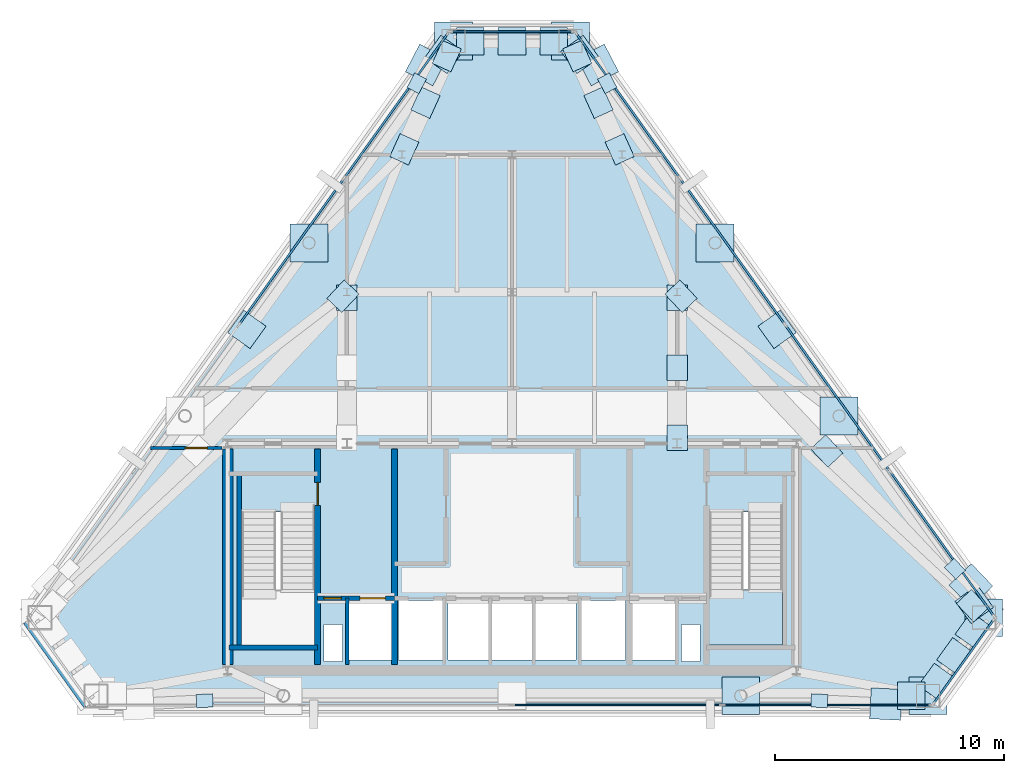
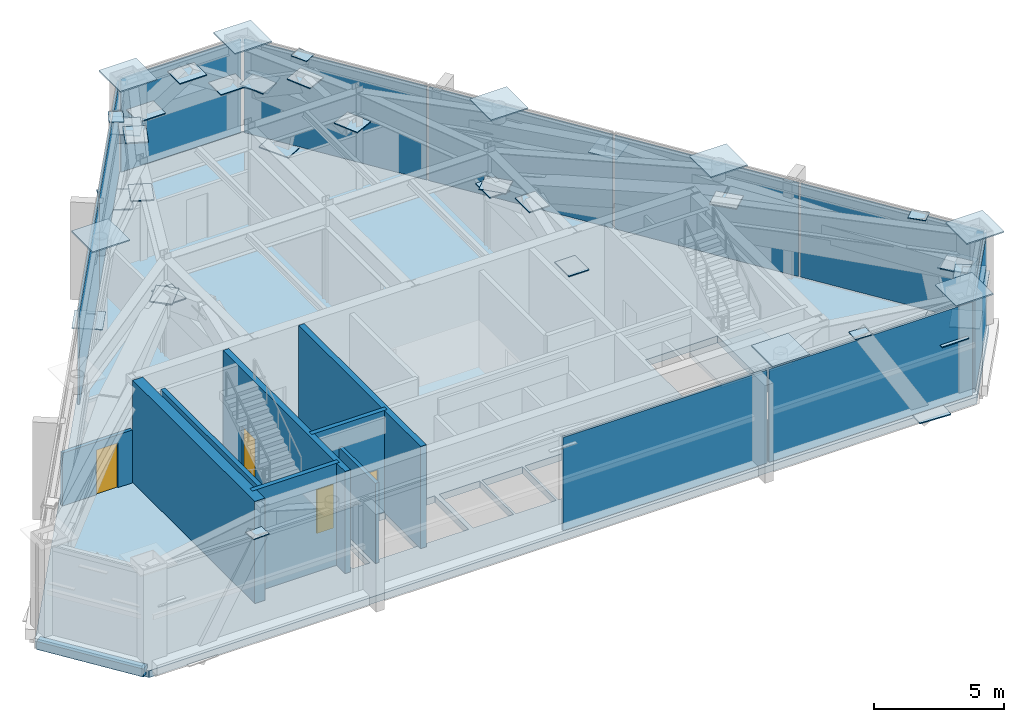
# One storey, part 5 of 9: 53 plates, 9 walls, 4 doors, 2 slabs, 4 openings, 6 elements without a shape of their own.
"""IFC4 building model written with IfcOpenShell, lengths in metres."""

from ifc_helpers import new_model, si_unit, direction, frame, frame_2d, origin, origin_2d, place, context, subcontext, project, spatial, polyline, rectangle, outline, extrude, source, transform, mapped, material, layer, layer_set, type_object, type_shapes, element, fill, aggregate, save


model = new_model("IFC4")

# Units and contexts
model_context = context("Model", 3, precision=1e-05, world=origin(), true_north=direction((0.0, 1.0)))
body_context = subcontext(model_context, "Body", "Model", "MODEL_VIEW")
ifc_project = project(units=[si_unit("LENGTHUNIT", "METRE"), si_unit("AREAUNIT", "SQUARE_METRE"), si_unit("VOLUMEUNIT", "CUBIC_METRE"), si_unit("PLANEANGLEUNIT", "RADIAN"), si_unit("MASSUNIT", "GRAM", prefix="KILO")], contexts=[model_context])

# Site, building, storey
site_placement = place(None, origin())
site = spatial("IfcSite", under=ifc_project, at=site_placement, CompositionType="ELEMENT")
building_placement = place(site_placement, origin())
building = spatial("IfcBuilding", under=site, at=building_placement, Name="Talgorran Terracotta Tower", CompositionType="ELEMENT")
storey_placement = place(building_placement, frame((0.0, 0.0, 244.199951171875)))
storey = spatial("IfcBuildingStorey", under=building, at=storey_placement, Name="L64", CompositionType="ELEMENT", Elevation=244.199951171875)

# Plates
ifc_material_1 = material(Name="Steel Grade 350 (350L0)", Category="steel")
ifc_layer_1 = layer(ifc_material_1, 0.031982421875, Name="PL_CAP_MN07")
ifc_layer_set_1 = layer_set([ifc_layer_1], Name="Steel Grade 350 (350L0)")
plate_type_1 = type_object("IfcPlateType", Name="PL_CAP_MN07", PredefinedType="USERDEFINED", material=ifc_layer_set_1)
for number, where, z_axis, x_axis, name in (
    (1, (-13.404296875, -15.42333984375, 4.51904296875), (0.0, 0.0, 1.0), (0.998763127564, 0.049721373869, 0.0), "L64 Diagonal Frame End Cap SWF Top"),
    (2, (13.404296875, -15.42333984375, 4.51904296875), (0.0, 0.0, 1.0), (-0.998763127564, 0.049721373869, 0.0), "L64 Diagonal Frame End Cap SEF Top"),
    (3, (19.318115234375, -9.6689453125, 4.51904296875), (0.0, 0.0, 1.0), (-0.691134732122, 0.722725938412, 0.0), "L64 Diagonal Frame End Cap NEL Top"),
    (4, (4.15283203125, 11.509033203125, 4.51904296875), (0.0, 0.0, 1.0), (0.461748613235, -0.887010833178, 0.0), "L64 Diagonal Frame End Cap NEU Top"),
    (5, (-4.15283203125, 11.509033203125, 4.51904296875), (0.0, 0.0, 1.0), (-0.461748613235, -0.887010833178, 0.0), "L64 Diagonal Frame End Cap NWU Top"),
):
    element("IfcPlate", number, at=place(storey_placement, frame(where, z_axis=z_axis, x_axis=x_axis)), inside=storey, type_object=plate_type_1, Name=name, ObjectType="CAP PLATE", PredefinedType="USERDEFINED", context=body_context, shape_type="SweptSolid", body=[
        extrude(rectangle(XDim=0.719970703125, YDim=0.580078125, at=origin_2d()), origin(), (0.0, 0.0, 1.0), 0.031982421875),
    ])
ifc_layer_2 = layer(ifc_material_1, 0.044921875, Name="PL_GUS_MN08")
ifc_layer_set_2 = layer_set([ifc_layer_2], Name="Steel Grade 350 (350L0)")
plate_type_2 = type_object("IfcPlateType", Name="PL_GUS_MN08", PredefinedType="SHEET", material=ifc_layer_set_2)
for number, where, z_axis, x_axis, name in (
    (6, (-7.199951171875, 2.14990234375, 2.897705078125), (0.0, 0.0, 1.0), (0.0, 1.0, 0.0), "L64 Outrigger Gusset OR1-B"),
    (7, (7.199951171875, -3.949951171875, 2.897705078125), (0.0, 0.0, 1.0), (0.0, 1.0, 0.0), "L64 Outrigger Gusset OR2-A"),
    (8, (7.199951171875, -0.89990234375, 4.0625), (0.0, 0.0, 1.0), (0.0, 1.0, 0.0), "L64 Outrigger Gusset OR2-M"),
    (9, (7.199951171875, 2.14990234375, 2.897705078125), (0.0, 0.0, 1.0), (0.0, 1.0, 0.0), "L64 Outrigger Gusset OR2-B"),
    (10, (-7.371337890625, 2.218017578125, 2.897705078125), (0.0, 0.0, 1.0), (-0.685691322174, -0.727892444455, 0.0), "L64 Outrigger Gusset OR3-A"),
    (11, (7.371337890625, 2.218017578125, 2.897705078125), (0.0, 0.0, 1.0), (0.685691322174, -0.727892444455, 0.0), "L64 Outrigger Gusset OR4-A"),
    (12, (13.728515625, -4.530029296875, 4.0625), (0.0, 0.0, 1.0), (0.685691322174, -0.727892444455, 0.0), "L64 Outrigger Gusset OR4-M"),
    (13, (20.085205078125, -11.27783203125, 2.897705078125), (0.0, 0.0, 1.0), (0.685691322174, -0.727892444455, 0.0), "L64 Outrigger Gusset OR4-B"),
    (14, (-4.6962890625, 8.62744140625, 2.897705078125), (0.0, 0.0, 1.0), (0.414216731225, 0.910178279005, 0.0), "L64 Outrigger Gusset OR5-A"),
    (15, (-3.77099609375, 10.660400390625, 4.0625), (0.0, 0.0, 1.0), (0.414216731225, 0.910178279005, 0.0), "L64 Outrigger Gusset OR5-M"),
    (16, (-2.845703125, 12.693359375, 2.897705078125), (0.0, 0.0, 1.0), (0.414216731225, 0.910178279005, 0.0), "L64 Outrigger Gusset OR5-B"),
    (17, (4.6962890625, 8.62744140625, 2.897705078125), (0.0, 0.0, 1.0), (-0.414216731225, 0.910178279005, 0.0), "L64 Outrigger Gusset OR6-A"),
    (18, (3.77099609375, 10.660400390625, 4.0625), (0.0, 0.0, 1.0), (-0.414216731225, 0.910178279005, 0.0), "L64 Outrigger Gusset OR6-M"),
    (19, (2.845703125, 12.693359375, 2.897705078125), (0.0, 0.0, 1.0), (-0.414216731225, 0.910178279005, 0.0), "L64 Outrigger Gusset OR6-B"),
):
    element("IfcPlate", number, at=place(storey_placement, frame(where, z_axis=z_axis, x_axis=x_axis)), inside=storey, type_object=plate_type_2, Name=name, PredefinedType="SHEET", context=body_context, shape_type="SweptSolid", body=[
        extrude(rectangle(XDim=1.10009765625, YDim=0.89990234375, at=origin_2d()), origin(), (0.0, 0.0, 1.0), 0.044921875),
    ])
ifc_layer_3 = layer(ifc_material_1, 0.06005859375, Name="PL_NODE_MN01")
ifc_layer_set_3 = layer_set([ifc_layer_3], Name="Steel Grade 350 (350L0)")
plate_type_3 = type_object("IfcPlateType", Name="PL_NODE_MN01", PredefinedType="USERDEFINED", material=ifc_layer_set_3)
for number, where, z_axis, x_axis, name in (
    (20, (18.13720703125, -15.207763671875, 4.784912109375), (0.0, 0.0, 1.0), (1.0, 0.0, 0.0), "L64 Mega-Column Cap Plate MC3"),
    (21, (20.5791015625, -11.802001953125, 4.784912109375), (0.0, 0.0, 1.0), (1.0, 0.0, 0.0), "L64 Mega-Column Cap Plate MC4"),
    (22, (2.547607421875, 13.3486328125, 4.784912109375), (0.0, 0.0, 1.0), (1.0, 0.0, 0.0), "L64 Mega-Column Cap Plate MC5"),
    (23, (-2.547607421875, 13.3486328125, 4.784912109375), (0.0, 0.0, 1.0), (1.0, 0.0, 0.0), "L64 Mega-Column Cap Plate MC6"),
    (24, (9.9755859375, -15.207763671875, 4.784912109375), (0.0, 0.0, 1.0), (1.0, 0.0, 0.0), "L64 Facet Column Cap Plate FC2"),
    (25, (14.26806640625, -2.999267578125, 4.784912109375), (0.0, 0.0, 1.0), (1.0, 0.0, 0.0), "L64 Facet Column Cap Plate FC3"),
    (26, (8.8583984375, 4.5458984375, 4.784912109375), (0.0, 0.0, 1.0), (1.0, 0.0, 0.0), "L64 Facet Column Cap Plate FC4"),
    (27, (-8.8583984375, 4.5458984375, 4.784912109375), (0.0, 0.0, 1.0), (1.0, 0.0, 0.0), "L64 Facet Column Cap Plate FC5"),
):
    element("IfcPlate", number, at=place(storey_placement, frame(where, z_axis=z_axis, x_axis=x_axis)), inside=storey, type_object=plate_type_3, Name=name, ObjectType="NODE PLATE", PredefinedType="USERDEFINED", context=body_context, shape_type="SweptSolid", body=[
        extrude(rectangle(XDim=1.64990234375, YDim=1.64990234375, at=origin_2d()), origin(), (0.0, 0.0, 1.0), 0.06005859375),
    ])
ifc_layer_4 = layer(ifc_material_1, 0.050048828125, Name="PL_NODE_MN03")
ifc_layer_set_4 = layer_set([ifc_layer_4], Name="Steel Grade 350 (350L0)")
plate_type_4 = type_object("IfcPlateType", Name="PL_NODE_MN03", PredefinedType="USERDEFINED", material=ifc_layer_set_4)
for number, where, z_axis, x_axis, name in (
    (28, (16.306640625, -15.56787109375, -0.01513671875), (0.0, 0.0, 1.0), (-0.998763127564, 0.049721373869, 0.0), "L64 Diagonal Frame End Cap SEF Bot"),
    (29, (20.01611328125, -10.39892578125, -0.01513671875), (0.0, 0.0, 1.0), (-0.691134732122, 0.722725938412, 0.0), "L64 Diagonal Frame End Cap NEL Bot"),
    (30, (3.73828125, 12.305419921875, -0.01513671875), (0.0, 0.0, 1.0), (0.461748613235, -0.887010833178, 0.0), "L64 Diagonal Frame End Cap NEU Bot"),
    (31, (-3.73828125, 12.305419921875, -0.01513671875), (0.0, 0.0, 1.0), (-0.461748613235, -0.887010833178, 0.0), "L64 Diagonal Frame End Cap NWU Bot"),
):
    element("IfcPlate", number, at=place(storey_placement, frame(where, z_axis=z_axis, x_axis=x_axis)), inside=storey, type_object=plate_type_4, Name=name, ObjectType="NODE PLATE", PredefinedType="USERDEFINED", context=body_context, shape_type="SweptSolid", body=[
        extrude(rectangle(XDim=1.35009765625, YDim=1.35009765625, at=origin_2d()), origin(), (0.0, 0.0, 1.0), 0.050048828125),
    ])
ifc_layer_5 = layer(ifc_material_1, 0.044921875, Name="PL_NODE_MN04")
ifc_layer_set_5 = layer_set([ifc_layer_5], Name="Steel Grade 350 (350L0)")
plate_type_5 = type_object("IfcPlateType", Name="PL_NODE_MN04", PredefinedType="USERDEFINED", material=ifc_layer_set_5)
for number, where, z_axis, x_axis, name in (
    (32, (17.417236328125, -15.207763671875, 2.897705078125), (0.0, 0.0, 1.0), (1.0, 0.0, 0.0), "L64 Belt Node Plate BT2-B"),
    (33, (18.556640625, -14.622802734375, 2.897705078125), (0.0, 0.0, 1.0), (0.582690479669, 0.812694164433, 0.0), "L64 Belt Node Plate BT3-A"),
    (34, (19.358154296875, -13.5048828125, 4.0625), (0.0, 0.0, 1.0), (0.582690479669, 0.812694164433, 0.0), "L64 Belt Node Plate BT3-M"),
    (35, (20.159423828125, -12.38720703125, 2.897705078125), (0.0, 0.0, 1.0), (0.582690479669, 0.812694164433, 0.0), "L64 Belt Node Plate BT3-B"),
    (36, (20.159423828125, -11.216796875, 2.897705078125), (0.0, 0.0, 1.0), (-0.582690479669, 0.812694164433, 0.0), "L64 Belt Node Plate BT4-A"),
    (37, (11.563232421875, 0.773193359375, 4.0625), (0.0, 0.0, 1.0), (-0.582690479669, 0.812694164433, 0.0), "L64 Belt Node Plate BT4-M"),
    (38, (2.967041015625, 12.763427734375, 2.897705078125), (0.0, 0.0, 1.0), (-0.582690479669, 0.812694164433, 0.0), "L64 Belt Node Plate BT4-B"),
    (39, (1.827392578125, 13.3486328125, 2.897705078125), (0.0, 0.0, 1.0), (-1.0, 0.0, 0.0), "L64 Belt Node Plate BT5-A"),
    (40, (0.0, 13.3486328125, 4.0625), (0.0, 0.0, 1.0), (-1.0, 0.0, 0.0), "L64 Belt Node Plate BT5-M"),
    (41, (-1.827392578125, 13.3486328125, 2.897705078125), (0.0, 0.0, 1.0), (-1.0, 0.0, 0.0), "L64 Belt Node Plate BT5-B"),
    (42, (-2.967041015625, 12.763427734375, 2.897705078125), (0.0, 0.0, 1.0), (-0.582690479669, -0.812694164433, 0.0), "L64 Belt Node Plate BT6-A"),
    (43, (-11.563232421875, 0.773193359375, 4.0625), (0.0, 0.0, 1.0), (-0.582690479669, -0.812694164433, 0.0), "L64 Belt Node Plate BT6-M"),
):
    element("IfcPlate", number, at=place(storey_placement, frame(where, z_axis=z_axis, x_axis=x_axis)), inside=storey, type_object=plate_type_5, Name=name, ObjectType="NODE PLATE", PredefinedType="USERDEFINED", context=body_context, shape_type="SweptSolid", body=[
        extrude(rectangle(XDim=1.199951171875, YDim=1.199951171875, at=origin_2d()), origin(), (0.0, 0.0, 1.0), 0.044921875),
    ])

# Stair, slab
ifc_material_2 = material(Name="Concrete C40/50", Category="concrete")
stair_type = type_object("IfcStairType", Name="ST_FIRE_SCISSOR", PredefinedType="HALF_TURN_STAIR", material=ifc_material_2)
stair_placement = place(storey_placement, origin())
stair = element("IfcStair", 44, at=stair_placement, inside=storey, type_object=stair_type, Name="L64 East Protected Fire Stair ST-02", PredefinedType="HALF_TURN_STAIR")
ifc_layer_6 = layer(ifc_material_2, 0.199951171875, Name="SL_LANDING_200")
ifc_layer_set_6 = layer_set([ifc_layer_6], Name="Concrete C40/50")
slab_type_1 = type_object("IfcSlabType", Name="SL_LANDING_200", PredefinedType="LANDING", material=ifc_layer_set_6)
slab_1_placement = place(storey_placement, frame((0.0, 0.0, 2.199951171875)))
slab_1 = element("IfcSlab", 45, at=slab_1_placement, type_object=slab_type_1, Name="ST-02 landing 1", PredefinedType="LANDING", context=body_context, shape_type="SweptSolid", body=[
    extrude(outline(polyline([(8.60009765625, -10.56005859375), (8.60009765625, -13.0), (11.800048828125, -13.0), (11.800048828125, -10.56005859375), (8.60009765625, -10.56005859375)])), origin(), (0.0, 0.0, 1.0), 0.2001953125),
])
aggregate(stair, [slab_1])

# Slab
ifc_material_3 = material(Name="Concrete C50/60", Category="concrete")
ifc_layer_7 = layer(ifc_material_3, 0.320068359375, Name="SL_PLANT_320")
ifc_layer_set_7 = layer_set([ifc_layer_7], Name="Concrete C50/60")
slab_type_2 = type_object("IfcSlabType", Name="SL_PLANT_320", PredefinedType="FLOOR", material=ifc_layer_set_7)
slab_2_placement = place(storey_placement, frame((0.0, 0.0, -0.320068359375)))
element("IfcSlab", 46, at=slab_2_placement, inside=storey, type_object=slab_type_2, Name="Storey L64 Structural Floor Slab", PredefinedType="FLOOR", context=body_context, shape_type="SweptSolid", body=[
    extrude(outline(polyline([(-21.21875, -11.802001953125), (-18.404296875, -15.727783203125), (18.404296875, -15.727783203125), (21.21875, -11.802001953125), (2.814453125, 13.86865234375), (-2.814453125, 13.86865234375), (-21.21875, -11.802001953125)]), holes=[polyline([(-11.800048828125, -7.199951171875), (-11.800048828125, -13.0), (-8.60009765625, -13.0), (-8.60009765625, -7.199951171875), (-11.800048828125, -7.199951171875)]), polyline([(8.60009765625, -7.199951171875), (8.60009765625, -13.0), (11.800048828125, -13.0), (11.800048828125, -7.199951171875), (8.60009765625, -7.199951171875)]), polyline([(-7.10009765625, -13.64990234375), (-5.199951171875, -13.64990234375), (-5.199951171875, -11.050048828125), (-7.10009765625, -11.050048828125), (-7.10009765625, -13.64990234375)]), polyline([(5.199951171875, -13.64990234375), (7.10009765625, -13.64990234375), (7.10009765625, -11.050048828125), (5.199951171875, -11.050048828125), (5.199951171875, -13.64990234375)]), polyline([(3.0, -13.64990234375), (4.949951171875, -13.64990234375), (4.949951171875, -11.050048828125), (3.0, -11.050048828125), (3.0, -13.64990234375)]), polyline([(-4.949951171875, -13.64990234375), (-3.0, -13.64990234375), (-3.0, -11.050048828125), (-4.949951171875, -11.050048828125), (-4.949951171875, -13.64990234375)]), polyline([(-2.800048828125, -13.64990234375), (-1.0, -13.64990234375), (-1.0, -11.050048828125), (-2.800048828125, -11.050048828125), (-2.800048828125, -13.64990234375)]), polyline([(-0.89990234375, -13.64990234375), (0.89990234375, -13.64990234375), (0.89990234375, -11.050048828125), (-0.89990234375, -11.050048828125), (-0.89990234375, -13.64990234375)]), polyline([(1.0, -13.64990234375), (2.800048828125, -13.64990234375), (2.800048828125, -11.050048828125), (1.0, -11.050048828125), (1.0, -13.64990234375)]), polyline([(-8.199951171875, -13.699951171875), (-7.39990234375, -13.699951171875), (-7.39990234375, -12.10009765625), (-8.199951171875, -12.10009765625), (-8.199951171875, -13.699951171875)]), polyline([(7.39990234375, -13.699951171875), (8.199951171875, -13.699951171875), (8.199951171875, -12.10009765625), (7.39990234375, -12.10009765625), (7.39990234375, -13.699951171875)])]), origin(), (0.0, 0.0, 1.0), 0.320068359375),
])

# Curtain wall, plate
ifc_material_4 = material(Name="Anodised Aluminium Louvre", Category="aluminium")
ifc_layer_8 = layer(ifc_material_4, 0.25, Name="CW_SYS4_LOUVRE")
ifc_layer_set_8 = layer_set([ifc_layer_8], Name="Anodised Aluminium Louvre")
curtain_wall_type = type_object("IfcCurtainWallType", Name="CW_SYS4_LOUVRE", PredefinedType="NOTDEFINED", material=ifc_layer_set_8)
curtain_wall_1_placement = place(storey_placement, origin())
curtain_wall_1 = element("IfcCurtainWall", 47, at=curtain_wall_1_placement, inside=storey, type_object=curtain_wall_type, Name="CW-L64-F2", PredefinedType="NOTDEFINED")
ifc_material_5 = material(Name="Anodised Aluminium Louvre Panel", Category="aluminium")
ifc_layer_9 = layer(ifc_material_5, 0.0849609375, Name="PLT_LOUVRE_BLADE")
ifc_layer_set_9 = layer_set([ifc_layer_9], Name="Anodised Aluminium Louvre Panel")
plate_type_6 = type_object("IfcPlateType", Name="PLT_LOUVRE_BLADE", PredefinedType="CURTAIN_PANEL", material=ifc_layer_set_9)
shared_shape_1 = source(origin(), body_context, "Body", "SweptSolid", [
    extrude(rectangle(XDim=4.512939453125, YDim=0.0849609375, at=origin_2d()), origin(), (0.0, 0.0, 1.0), 4.375),
])
plate_1_placement = place(storey_placement, frame((19.706787109375, -13.704833984375, 0.0849609375), z_axis=(0.0, 0.0, 1.0), x_axis=(0.582661427396, 0.812714993724, 0.0)))
plate_1 = element("IfcPlate", 48, at=plate_1_placement, type_object=plate_type_6, Name="CW-L64-2 panel 1.1", PredefinedType="CURTAIN_PANEL", context=body_context, shape_type="MappedRepresentation", body=[
    mapped(shared_shape_1, transform((0.0, 0.0, 0.0), scale=1.0)),
])
aggregate(curtain_wall_1, [plate_1])

# Curtain wall, plates
curtain_wall_2_placement = place(storey_placement, origin())
curtain_wall_2 = element("IfcCurtainWall", 49, at=curtain_wall_2_placement, inside=storey, type_object=curtain_wall_type, Name="CW-L64-F1", PredefinedType="NOTDEFINED")
shared_shape_2 = source(origin(), body_context, "Body", "SweptSolid", [
    extrude(rectangle(XDim=9.043701171875, YDim=0.0849609375, at=origin_2d()), origin(), (0.0, 0.0, 1.0), 4.375),
])
plate_2_placement = place(storey_placement, frame((13.735595703125, -15.60791015625, 0.0849609375), z_axis=(0.0, 0.0, 1.0), x_axis=(1.0, 0.0, 0.0)))
plate_2 = element("IfcPlate", 50, at=plate_2_placement, type_object=plate_type_6, Name="CW-L64-1 panel 4.1", PredefinedType="CURTAIN_PANEL", context=body_context, shape_type="MappedRepresentation", body=[
    mapped(shared_shape_2, transform((0.0, 0.0, 0.0), scale=1.0)),
])
shared_shape_3 = source(origin(), body_context, "Body", "SweptSolid", [
    extrude(rectangle(XDim=9.086181640625, YDim=0.0849609375, at=origin_2d()), origin(), (0.0, 0.0, 1.0), 4.375),
])
plate_3_placement = place(storey_placement, frame((4.585693359375, -15.60791015625, 0.0849609375), z_axis=(0.0, 0.0, 1.0), x_axis=(1.0, 0.0, 0.0)))
plate_3 = element("IfcPlate", 51, at=plate_3_placement, type_object=plate_type_6, Name="CW-L64-1 panel 3.1", PredefinedType="CURTAIN_PANEL", context=body_context, shape_type="MappedRepresentation", body=[
    mapped(shared_shape_3, transform((0.0, 0.0, 0.0), scale=1.0)),
])
aggregate(curtain_wall_2, [plate_3, plate_2])

curtain_wall_3_placement = place(storey_placement, origin())
curtain_wall_3 = element("IfcCurtainWall", 52, at=curtain_wall_3_placement, inside=storey, type_object=curtain_wall_type, Name="CW-L64-F3", PredefinedType="NOTDEFINED")
shared_shape_4 = source(origin(), body_context, "Body", "SweptSolid", [
    extrude(rectangle(XDim=7.732177734375, YDim=0.0849609375, at=origin_2d()), origin(), (0.0, 0.0, 1.0), 4.375),
])
plate_4_placement = place(storey_placement, frame((18.76904296875, -8.5908203125, 0.0849609375), z_axis=(0.0, 0.0, 1.0), x_axis=(-0.582664703498, 0.812712644972, 0.0)))
plate_4 = element("IfcPlate", 53, at=plate_4_placement, type_object=plate_type_6, Name="CW-L64-3 panel 1.1", PredefinedType="CURTAIN_PANEL", context=body_context, shape_type="MappedRepresentation", body=[
    mapped(shared_shape_4, transform((0.0, 0.0, 0.0), scale=1.0)),
])
plate_5_placement = place(storey_placement, frame((5.05517578125, 10.53759765625, 0.0849609375), z_axis=(0.0, 0.0, 1.0), x_axis=(-0.582664703498, 0.812712644972, 0.0)))
plate_5 = element("IfcPlate", 54, at=plate_5_placement, type_object=plate_type_6, Name="CW-L64-3 panel 4.1", PredefinedType="CURTAIN_PANEL", context=body_context, shape_type="MappedRepresentation", body=[
    mapped(shared_shape_4, transform((0.0, 0.0, 0.0), scale=1.0)),
])

# Curtain wall, plate
curtain_wall_4_placement = place(storey_placement, origin())
curtain_wall_4 = element("IfcCurtainWall", 55, at=curtain_wall_4_placement, inside=storey, type_object=curtain_wall_type, Name="CW-L64-F5", PredefinedType="NOTDEFINED")
plate_6_placement = place(storey_placement, frame((-5.05517578125, 10.53759765625, 0.0849609375), z_axis=(0.0, 0.0, 1.0), x_axis=(-0.582664703498, -0.812712644972, 0.0)))
plate_6 = element("IfcPlate", 56, at=plate_6_placement, type_object=plate_type_6, Name="CW-L64-5 panel 1.1", PredefinedType="CURTAIN_PANEL", context=body_context, shape_type="MappedRepresentation", body=[
    mapped(shared_shape_4, transform((0.0, 0.0, 0.0), scale=1.0)),
])

# Plate
shared_shape_5 = source(origin(), body_context, "Body", "SweptSolid", [
    extrude(rectangle(XDim=7.774658203125, YDim=0.0849609375, at=origin_2d()), origin(), (0.0, 0.0, 1.0), 4.375),
])
plate_7_placement = place(storey_placement, frame((14.20166015625, -2.220458984375, 0.0849609375), z_axis=(0.0, 0.0, 1.0), x_axis=(-0.582664703498, 0.812712644972, 0.0)))
plate_7 = element("IfcPlate", 57, at=plate_7_placement, type_object=plate_type_6, Name="CW-L64-3 panel 2.1", PredefinedType="CURTAIN_PANEL", context=body_context, shape_type="MappedRepresentation", body=[
    mapped(shared_shape_5, transform((0.0, 0.0, 0.0), scale=1.0)),
])

plate_8_placement = place(storey_placement, frame((9.622314453125, 4.167236328125, 0.0849609375), z_axis=(0.0, 0.0, 1.0), x_axis=(-0.582664703498, 0.812712644972, 0.0)))
plate_8 = element("IfcPlate", 58, at=plate_8_placement, type_object=plate_type_6, Name="CW-L64-3 panel 3.1", PredefinedType="CURTAIN_PANEL", context=body_context, shape_type="MappedRepresentation", body=[
    mapped(shared_shape_5, transform((0.0, 0.0, 0.0), scale=1.0)),
])

aggregate(curtain_wall_3, [plate_4, plate_7, plate_8, plate_5])

plate_9_placement = place(storey_placement, frame((-9.622314453125, 4.167236328125, 0.0849609375), z_axis=(0.0, 0.0, 1.0), x_axis=(-0.582664703498, -0.812712644972, 0.0)))
plate_9 = element("IfcPlate", 59, at=plate_9_placement, type_object=plate_type_6, Name="CW-L64-5 panel 2.1", PredefinedType="CURTAIN_PANEL", context=body_context, shape_type="MappedRepresentation", body=[
    mapped(shared_shape_5, transform((0.0, 0.0, 0.0), scale=1.0)),
])

aggregate(curtain_wall_4, [plate_6, plate_9])

# Curtain wall, plate
curtain_wall_5_placement = place(storey_placement, origin())
curtain_wall_5 = element("IfcCurtainWall", 60, at=curtain_wall_5_placement, inside=storey, type_object=curtain_wall_type, Name="CW-L64-F4", PredefinedType="NOTDEFINED")
shared_shape_6 = source(origin(), body_context, "Body", "SweptSolid", [
    extrude(rectangle(XDim=5.335693359375, YDim=0.0849609375, at=origin_2d()), origin(), (0.0, 0.0, 1.0), 4.375),
])
type_shapes(plate_type_6, [shared_shape_1, shared_shape_2, shared_shape_3, shared_shape_4, shared_shape_5, shared_shape_6])
plate_10_placement = place(storey_placement, frame((0.0, 13.74853515625, 0.0849609375), z_axis=(0.0, 0.0, 1.0), x_axis=(-1.0, 0.0, 0.0)))
plate_10 = element("IfcPlate", 61, at=plate_10_placement, type_object=plate_type_6, Name="CW-L64-4 panel 1.1", PredefinedType="CURTAIN_PANEL", context=body_context, shape_type="MappedRepresentation", body=[
    mapped(shared_shape_6, transform((0.0, 0.0, 0.0), scale=1.0)),
])
aggregate(curtain_wall_5, [plate_10])

# Walls
ifc_layer_10 = layer(ifc_material_3, 0.199951171875, Name="WT_CORE_200")
ifc_layer_set_10 = layer_set([ifc_layer_10], Name="Concrete C50/60")
wall_type_1 = type_object("IfcWallType", Name="WT_CORE_200", PredefinedType="SOLIDWALL", material=ifc_layer_set_10)
wall_1_placement = place(storey_placement, frame((-12.35009765625, -13.10009765625, 0.0), z_axis=(0.0, 0.0, 1.0), x_axis=(1.0, 0.0, 0.0)))
element("IfcWall", 62, at=wall_1_placement, inside=storey, type_object=wall_type_1, Name="WL-L64-CW-ST1-S", PredefinedType="SOLIDWALL", context=body_context, shape_type="SweptSolid", body=[
    extrude(rectangle(XDim=3.8701171875, YDim=0.199951171875, at=frame_2d((1.93505859375, 0.0))), origin(), (0.0, 0.0, 1.0), 4.800048828125),
])
wall_2_placement = place(storey_placement, frame((-11.89990234375, -13.10009765625, 0.0), z_axis=(0.0, 0.0, 1.0), x_axis=(0.0, 1.0, 0.0)))
element("IfcWall", 63, at=wall_2_placement, inside=storey, type_object=wall_type_1, Name="WL-L64-CW-ST1-W", PredefinedType="SOLIDWALL", context=body_context, shape_type="SweptSolid", body=[
    extrude(rectangle(XDim=7.580078125, YDim=0.199951171875, at=frame_2d((3.7900390625, 0.0))), origin(), (0.0, 0.0, 1.0), 4.800048828125),
])

# Wall, openings, doors
wall_3_placement = place(storey_placement, frame((-8.47998046875, -10.949951171875, 0.0), z_axis=(0.0, 0.0, 1.0), x_axis=(1.0, 0.0, 0.0)))
wall_3 = element("IfcWall", 64, at=wall_3_placement, inside=storey, type_object=wall_type_1, Name="WL-L64-CW-H-SBW", PredefinedType="SOLIDWALL", context=body_context, shape_type="SweptSolid", body=[
    extrude(rectangle(XDim=3.35986328125, YDim=0.199951171875, at=frame_2d((1.679931640625, 0.0))), origin(), (0.0, 0.0, 1.0), 4.800048828125),
])
opening_1_placement = place(wall_3_placement, frame((0.280029296875, 0.0, 0.0)))
opening_1 = element("IfcOpeningElement", 65, at=opening_1_placement, cuts=wall_3, Name="Opening DR-RSW", PredefinedType="OPENING", context=body_context, shape_type="SweptSolid", body=[
    extrude(rectangle(XDim=0.756, YDim=2.054048828125, at=frame_2d((0.375, 1.027099609375))), frame((0.0, 0.10986328125, 0.0), z_axis=(0.0, -1.0, 0.0), x_axis=(1.0, 0.0, 0.0)), (0.0, 0.0, 1.0), 0.219970703125),
])
opening_2_placement = place(wall_3_placement, frame((1.85009765625, 0.0, 0.0)))
opening_2 = element("IfcOpeningElement", 66, at=opening_2_placement, cuts=wall_3, Name="Opening LD-FFL1", PredefinedType="OPENING", context=body_context, shape_type="SweptSolid", body=[
    extrude(rectangle(XDim=1.10609765625, YDim=2.10409765625, at=frame_2d((0.550048828125, 1.052001953125))), frame((0.0, 0.10986328125, 0.0), z_axis=(0.0, -1.0, 0.0), x_axis=(1.0, 0.0, 0.0)), (0.0, 0.0, 1.0), 0.219970703125),
])
ifc_material_6 = material(Name="Brushed Stainless Steel Grade 304", Category="steel")
door_type_1 = type_object("IfcDoorType", Name="DT_LIFT_LD1100", OperationType="DOUBLE_DOOR_SLIDING", PredefinedType="DOOR", material=ifc_material_6)
door_1_placement = place(opening_2_placement, origin())
door_1 = element("IfcDoor", 67, at=door_1_placement, inside=storey, type_object=door_type_1, Name="L64 Lift Landing Door LD-FFL1", OperationType="DOUBLE_DOOR_SLIDING", OverallHeight=2.10009765625, OverallWidth=1.10009765625, PredefinedType="DOOR", context=body_context, shape_type="SweptSolid", body=[
    extrude(rectangle(XDim=1.10009765625, YDim=2.10009765625, at=frame_2d((0.550048828125, 1.050048828125))), frame((0.0, 0.02490234375, 0.0), z_axis=(0.0, -1.0, 0.0), x_axis=(1.0, 0.0, 0.0)), (0.0, 0.0, 1.0), 0.050048828125),
])
fill(opening_2, door_1)
ifc_material_7 = material(Name="Fire-Rated Pressed Steel", Category="steel")
door_type_2 = type_object("IfcDoorType", Name="DT_RISER_750", OperationType="NOTDEFINED", PredefinedType="DOOR", material=ifc_material_7)
door_2_placement = place(opening_1_placement, origin())
door_2 = element("IfcDoor", 68, at=door_2_placement, inside=storey, type_object=door_type_2, Name="DR-RSW", OperationType="SINGLE_SWING_LEFT", OverallHeight=2.050048828125, OverallWidth=0.75, PredefinedType="DOOR", context=body_context, shape_type="SweptSolid", body=[
    extrude(rectangle(XDim=0.75, YDim=2.050048828125, at=frame_2d((0.375, 1.02490234375))), frame((0.0, 0.02490234375, 0.0), z_axis=(0.0, -1.0, 0.0), x_axis=(1.0, 0.0, 0.0)), (0.0, 0.0, 1.0), 0.050048828125),
])
fill(opening_1, door_2)

# Wall, opening, door
ifc_layer_11 = layer(ifc_material_3, 0.25, Name="WT_CORE_250")
ifc_layer_set_11 = layer_set([ifc_layer_11], Name="Concrete C50/60")
wall_type_2 = type_object("IfcWallType", Name="WT_CORE_250", PredefinedType="SHEAR", material=ifc_layer_set_11)
wall_4_placement = place(storey_placement, frame((-8.47998046875, -13.85009765625, 0.0), z_axis=(0.0, 0.0, 1.0), x_axis=(0.0, 1.0, 0.0)))
wall_4 = element("IfcWall", 69, at=wall_4_placement, inside=storey, type_object=wall_type_2, Name="WL-L64-CW-V-W1", PredefinedType="SHEAR", context=body_context, shape_type="SweptSolid", body=[
    extrude(rectangle(XDim=9.400146484375, YDim=0.25, at=frame_2d((4.7001953125, 0.0))), origin(), (0.0, 0.0, 1.0), 4.800048828125),
])
opening_3_placement = place(wall_4_placement, frame((6.949951171875, 0.0, 0.0)))
opening_3 = element("IfcOpeningElement", 70, at=opening_3_placement, cuts=wall_4, Name="Opening DR-ST01", PredefinedType="OPENING", context=body_context, shape_type="SweptSolid", body=[
    extrude(rectangle(XDim=1.006, YDim=2.10409765625, at=frame_2d((0.5, 1.052001953125))), frame((0.0, 0.135009765625, 0.0), z_axis=(0.0, -1.0, 0.0), x_axis=(1.0, 0.0, 0.0)), (0.0, 0.0, 1.0), 0.27001953125),
])
door_type_3 = type_object("IfcDoorType", Name="DT_FIRE_1000", OperationType="NOTDEFINED", PredefinedType="DOOR", material=ifc_material_7)
door_3_placement = place(opening_3_placement, origin())
door_3 = element("IfcDoor", 71, at=door_3_placement, inside=storey, type_object=door_type_3, Name="DR-ST01", OperationType="SINGLE_SWING_LEFT", OverallHeight=2.10009765625, OverallWidth=1.0, PredefinedType="DOOR", context=body_context, shape_type="SweptSolid", body=[
    extrude(rectangle(XDim=1.0, YDim=2.10009765625, at=frame_2d((0.5, 1.050048828125))), frame((0.0, 0.02490234375, 0.0), z_axis=(0.0, -1.0, 0.0), x_axis=(1.0, 0.0, 0.0)), (0.0, 0.0, 1.0), 0.050048828125),
])
fill(opening_3, door_3)

# Walls
wall_5_placement = place(storey_placement, frame((-5.1201171875, -13.85009765625, 0.0), z_axis=(0.0, 0.0, 1.0), x_axis=(0.0, 1.0, 0.0)))
element("IfcWall", 72, at=wall_5_placement, inside=storey, type_object=wall_type_2, Name="WL-L64-CW-V-W2", PredefinedType="SHEAR", context=body_context, shape_type="SweptSolid", body=[
    extrude(rectangle(XDim=9.400146484375, YDim=0.25, at=frame_2d((4.7001953125, 0.0))), origin(), (0.0, 0.0, 1.0), 4.800048828125),
])
ifc_material_8 = material(Name="Concrete C65/80", Category="concrete")
ifc_layer_12 = layer(ifc_material_8, 0.449951171875, Name="WT_CORE_EXT")
ifc_layer_set_12 = layer_set([ifc_layer_12], Name="Concrete C65/80")
wall_type_3 = type_object("IfcWallType", Name="WT_CORE_EXT", PredefinedType="SHEAR", material=ifc_layer_set_12)
wall_6_placement = place(storey_placement, frame((-12.39990234375, -13.85009765625, 0.0), z_axis=(0.0, 0.0, 1.0), x_axis=(0.0, 1.0, 0.0)))
element("IfcWall", 73, at=wall_6_placement, inside=storey, type_object=wall_type_3, Name="WL-L64-CW-OUT-W", PredefinedType="SHEAR", context=body_context, shape_type="SweptSolid", body=[
    extrude(rectangle(XDim=9.400146484375, YDim=0.449951171875, at=frame_2d((4.7001953125, 0.0))), origin(), (0.0, 0.0, 1.0), 4.800048828125),
])

# Wall, opening, door
ifc_material_9 = material(Name="Fire-Rated Steel Stud Plasterboard", Category="steel")
ifc_layer_13 = layer(ifc_material_9, 0.14990234375, Name="WT_FIRE_150")
ifc_layer_set_13 = layer_set([ifc_layer_13], Name="Fire-Rated Steel Stud Plasterboard")
wall_type_4 = type_object("IfcWallType", Name="WT_FIRE_150", PredefinedType="PARTITIONING", material=ifc_layer_set_13)
wall_7_placement = place(storey_placement, frame((-15.764404296875, -4.39990234375, 0.0), z_axis=(0.0, 0.0, 1.0), x_axis=(1.0, 0.0, 0.0)))
wall_7 = element("IfcWall", 74, at=wall_7_placement, inside=storey, type_object=wall_type_4, Name="WL-L64-W-L64-R01", PredefinedType="PARTITIONING", context=body_context, shape_type="SweptSolid", body=[
    extrude(rectangle(XDim=3.1123046875, YDim=0.14990234375, at=frame_2d((1.55615234375, 0.0))), origin(), (0.0, 0.0, 1.0), 2.485107421875),
])
opening_4_placement = place(wall_7_placement, frame((1.517822265625, 0.0, 0.0)))
opening_4 = element("IfcOpeningElement", 75, at=opening_4_placement, cuts=wall_7, Name="Opening DR-L64-R01", PredefinedType="OPENING", context=body_context, shape_type="SweptSolid", body=[
    extrude(rectangle(XDim=0.955951171875, YDim=2.10409765625, at=frame_2d((0.47509765625, 1.052001953125))), frame((0.0, 0.0849609375, 0.0), z_axis=(0.0, -1.0, 0.0), x_axis=(1.0, 0.0, 0.0)), (0.0, 0.0, 1.0), 0.169921875),
])
ifc_material_10 = material(Name="Fire-Rated Timber Core", Category="wood")
door_type_4 = type_object("IfcDoorType", Name="DT_FIRE_950", OperationType="NOTDEFINED", PredefinedType="DOOR", material=ifc_material_10)
door_4_placement = place(opening_4_placement, origin())
door_4 = element("IfcDoor", 76, at=door_4_placement, inside=storey, type_object=door_type_4, Name="DR-L64-R01", OperationType="SINGLE_SWING_LEFT", OverallHeight=2.10009765625, OverallWidth=0.949951171875, PredefinedType="DOOR", context=body_context, shape_type="SweptSolid", body=[
    extrude(rectangle(XDim=0.949951171875, YDim=2.10009765625, at=frame_2d((0.47509765625, 1.050048828125))), frame((0.0, 0.02490234375, 0.0), z_axis=(0.0, -1.0, 0.0), x_axis=(1.0, 0.0, 0.0)), (0.0, 0.0, 1.0), 0.050048828125),
])
fill(opening_4, door_4)

# Walls
ifc_layer_14 = layer(ifc_material_2, 0.219970703125, Name="WT_PARAPET_RC")
ifc_layer_set_14 = layer_set([ifc_layer_14], Name="Concrete C40/50")
wall_type_5 = type_object("IfcWallType", Name="WT_PARAPET_RC", PredefinedType="PARAPET", material=ifc_layer_set_14)
wall_8_placement = place(storey_placement, frame((-21.154541015625, -11.960205078125, -0.199951171875), z_axis=(0.0, 0.0, 1.0), x_axis=(0.582656829422, -0.81271829014, 0.0)))
element("IfcWall", 77, at=wall_8_placement, inside=storey, type_object=wall_type_5, Name="L64 Striped Portal Precast Cornice F0", PredefinedType="PARAPET", context=body_context, shape_type="SweptSolid", body=[
    extrude(rectangle(XDim=4.522705078125, YDim=0.360107421875, at=frame_2d((2.26123046875, 0.0))), origin(), (0.0, 0.0, 1.0), 0.3798828125),
])
ifc_material_11 = material(Name="Fire-Rated Shaftwall")
ifc_layer_15 = layer(ifc_material_11, 0.159912109375, Name="WT_PART_150")
ifc_layer_set_15 = layer_set([ifc_layer_15], Name="Fire-Rated Shaftwall")
wall_type_6 = type_object("IfcWallType", Name="WT_PART_150", PredefinedType="PARTITIONING", material=ifc_layer_set_15)
wall_9_placement = place(storey_placement, frame((-7.179931640625, -13.85009765625, 0.0), z_axis=(0.0, 0.0, 1.0), x_axis=(0.0, 1.0, 0.0)))
element("IfcWall", 78, at=wall_9_placement, inside=storey, type_object=wall_type_6, Name="WL-L64-CW-RSW", PredefinedType="PARTITIONING", context=body_context, shape_type="SweptSolid", body=[
    extrude(rectangle(XDim=2.900146484375, YDim=0.159912109375, at=frame_2d((1.4501953125, 0.0))), origin(), (0.0, 0.0, 1.0), 3.77001953125),
])

save(model, "model.ifc")
